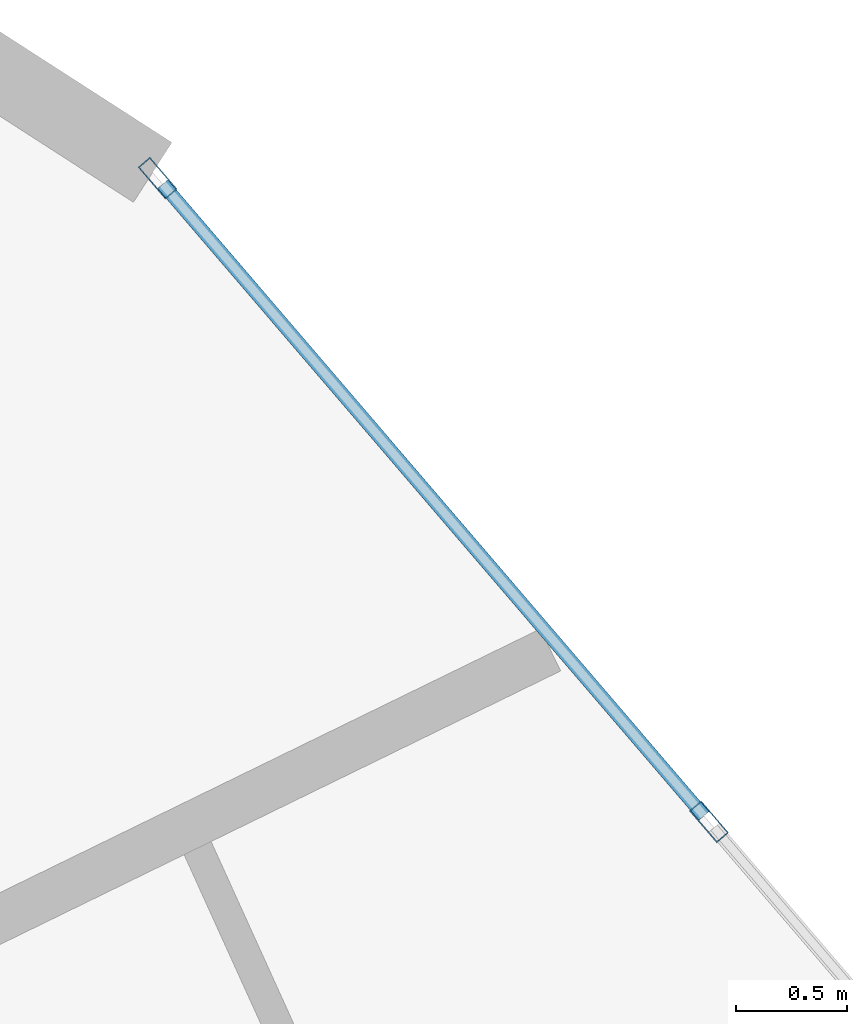
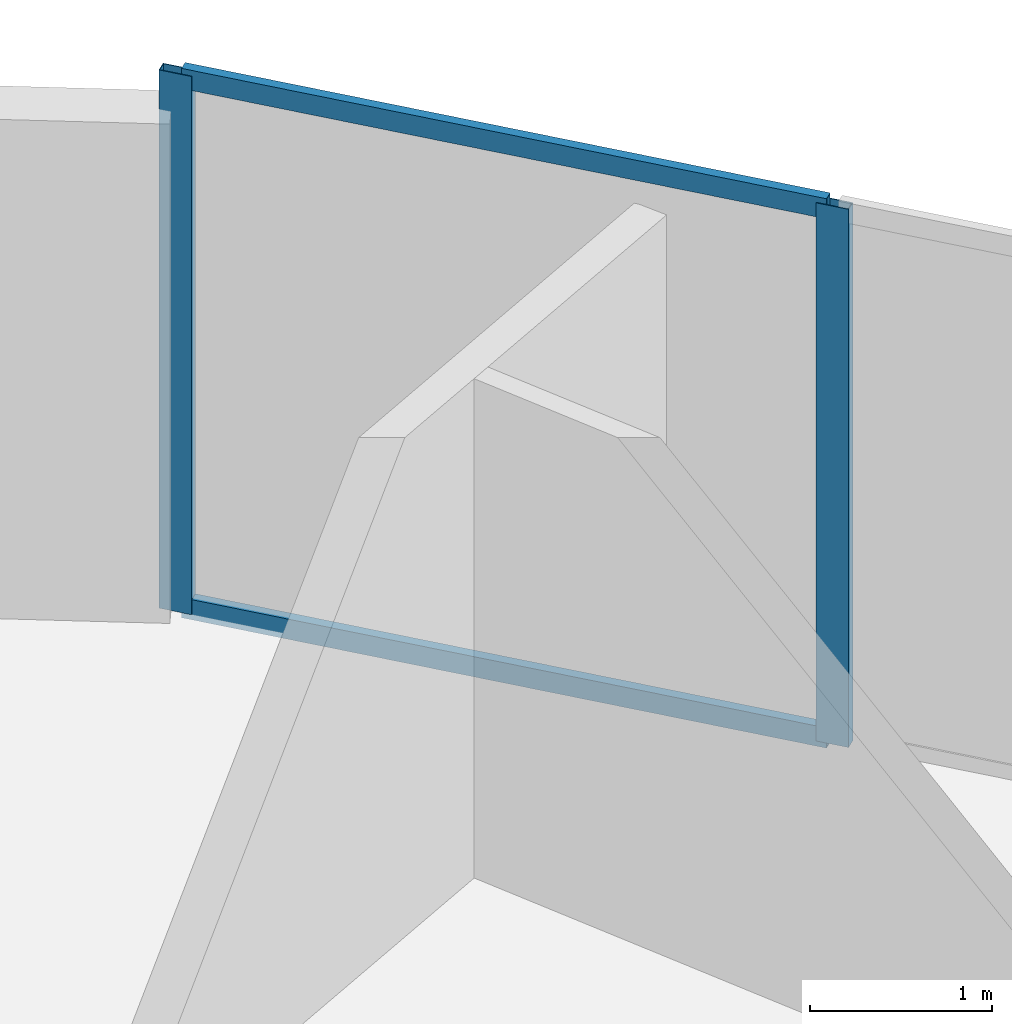
# One storey, part 14 of 23: 4 members, 1 element without a shape of its own.
"""IFC4 building model written with IfcOpenShell, lengths in metres."""

from ifc_helpers import new_model, si_unit, direction, frame, origin, origin_2d, place, context, subcontext, project, spatial, hollow_rectangle, extrude, source, transform, mapped, material, layer, layer_set, material_profile, profile_set, type_object, element, aggregate, save


model = new_model("IFC4")

# Units and contexts
model_context = context("Model", 3, precision=1e-05, world=origin(), true_north=direction((0.0, 1.0)))
body_context = subcontext(model_context, "Body", "Model", "MODEL_VIEW")
ifc_project = project(units=[si_unit("LENGTHUNIT", "METRE"), si_unit("AREAUNIT", "SQUARE_METRE"), si_unit("VOLUMEUNIT", "CUBIC_METRE"), si_unit("PLANEANGLEUNIT", "RADIAN"), si_unit("MASSUNIT", "GRAM", prefix="KILO")], contexts=[model_context])

# Site, building, storey
site_placement = place(None, origin())
site = spatial("IfcSite", under=ifc_project, at=site_placement, CompositionType="ELEMENT")
building_placement = place(site_placement, origin())
building = spatial("IfcBuilding", under=site, at=building_placement, Name="Solvirekh Grand Hotel", CompositionType="ELEMENT")
storey_placement = place(building_placement, frame((0.0, 0.0, 46.39990234375)))
storey = spatial("IfcBuildingStorey", under=building, at=storey_placement, Name="L10", CompositionType="ELEMENT", Elevation=46.39990234375)

# Curtain wall, members
ifc_material = material(Name="Anodized Bronze Aluminium 6063-T6", Category="aluminium")
ifc_layer = layer(ifc_material, 0.18994140625)
ifc_layer_set = layer_set([ifc_layer], Name="Anodized Bronze Aluminium 6063-T6")
curtain_wall_type = type_object("IfcCurtainWallType", Name="CW_Sys2_LowZoneFlushBronzeCW", PredefinedType="NOTDEFINED", material=ifc_layer_set)
curtain_wall_placement = place(storey_placement, origin())
curtain_wall = element("IfcCurtainWall", 1, at=curtain_wall_placement, inside=storey, type_object=curtain_wall_type, Name="L10 unitised bronze-glass curtain wall CW-L10-C03", PredefinedType="NOTDEFINED")
ifc_material_profile_1 = material_profile(ifc_material, hollow_rectangle(XDim=0.070068359375, YDim=0.18994140625, WallThickness=0.0048828125, at=origin_2d()), Name="ALU RHS 190X70X5")
ifc_profile_set_1 = profile_set([ifc_material_profile_1], Name="Anodized Bronze Aluminium 6063-T6")
member_type_1 = type_object("IfcMemberType", Name="CWMullion_Sys2", PredefinedType="MULLION", material=ifc_profile_set_1)
shared_shape_1 = source(origin(), body_context, "Body", "SweptSolid", [
    extrude(hollow_rectangle(XDim=0.070068359375, YDim=0.18994140625, WallThickness=0.0048828125, at=origin_2d()), origin(), (0.0, 0.0, 1.0), 3.60009765625),
])
member_1_placement = place(storey_placement, frame((22.4375, 11.76806640625, 0.0), z_axis=(0.0, 0.0, 1.0), x_axis=(-0.75944894298, -0.650566908939, 0.0)))
member_1 = element("IfcMember", 2, at=member_1_placement, type_object=member_type_1, Name="U02 mullion 2", PredefinedType="MULLION", context=body_context, shape_type="MappedRepresentation", body=[
    mapped(shared_shape_1, transform((0.0, 0.0, 0.0), x_axis=(1.0, 0.0, 0.0), y_axis=(0.0, 1.0, 0.0), z_axis=(0.0, 0.0, 1.0), scale=1.0)),
])
member_2_placement = place(storey_placement, frame((19.953857421875, 14.66748046875, 0.0), z_axis=(0.0, 0.0, 1.0), x_axis=(-0.75944894298, -0.650566908939, 0.0)))
member_2 = element("IfcMember", 3, at=member_2_placement, type_object=member_type_1, Name="U02 mullion 3", PredefinedType="MULLION", context=body_context, shape_type="MappedRepresentation", body=[
    mapped(shared_shape_1, transform((0.0, 0.0, 0.0), x_axis=(1.0, 0.0, 0.0), y_axis=(0.0, 1.0, 0.0), z_axis=(0.0, 0.0, 1.0), scale=1.0)),
])
ifc_material_profile_2 = material_profile(ifc_material, hollow_rectangle(XDim=0.06005859375, YDim=0.135009765625, WallThickness=0.00390625, at=origin_2d()), Name="ALU RHS 135X60X4")
ifc_profile_set_2 = profile_set([ifc_material_profile_2], Name="Anodized Bronze Aluminium 6063-T6")
member_type_2 = type_object("IfcMemberType", Name="CWTransom_Sys2", PredefinedType="USERDEFINED", material=ifc_profile_set_2)
shared_shape_2 = source(origin(), body_context, "Body", "SweptSolid", [
    extrude(hollow_rectangle(XDim=0.06005859375, YDim=0.135009765625, WallThickness=0.00390625, at=origin_2d()), origin(), (0.0, 0.0, 1.0), 3.747802734375),
])
member_3_placement = place(storey_placement, frame((22.414794921875, 11.794677734375, 0.030029296875), z_axis=(-0.650582125085, 0.759435908105, 0.0), x_axis=(-0.759435908105, -0.650582125085, 0.0)))
member_3 = element("IfcMember", 4, at=member_3_placement, type_object=member_type_2, Name="U02 transom 2.1", ObjectType="TRANSOM", PredefinedType="USERDEFINED", context=body_context, shape_type="MappedRepresentation", body=[
    mapped(shared_shape_2, transform((0.0, 0.0, 0.0), x_axis=(1.0, 0.0, 0.0), y_axis=(0.0, 1.0, 0.0), z_axis=(0.0, 0.0, 1.0), scale=1.0)),
])
member_4_placement = place(storey_placement, frame((22.414794921875, 11.794677734375, 3.570068359375), z_axis=(-0.650582125085, 0.759435908105, 0.0), x_axis=(-0.759435908105, -0.650582125085, 0.0)))
member_4 = element("IfcMember", 5, at=member_4_placement, type_object=member_type_2, Name="U02 transom 2.2", ObjectType="TRANSOM", PredefinedType="USERDEFINED", context=body_context, shape_type="MappedRepresentation", body=[
    mapped(shared_shape_2, transform((0.0, 0.0, 0.0), x_axis=(1.0, 0.0, 0.0), y_axis=(0.0, 1.0, 0.0), z_axis=(0.0, 0.0, 1.0), scale=1.0)),
])
aggregate(curtain_wall, [member_1, member_2, member_3, member_4])

save(model, "model.ifc")
